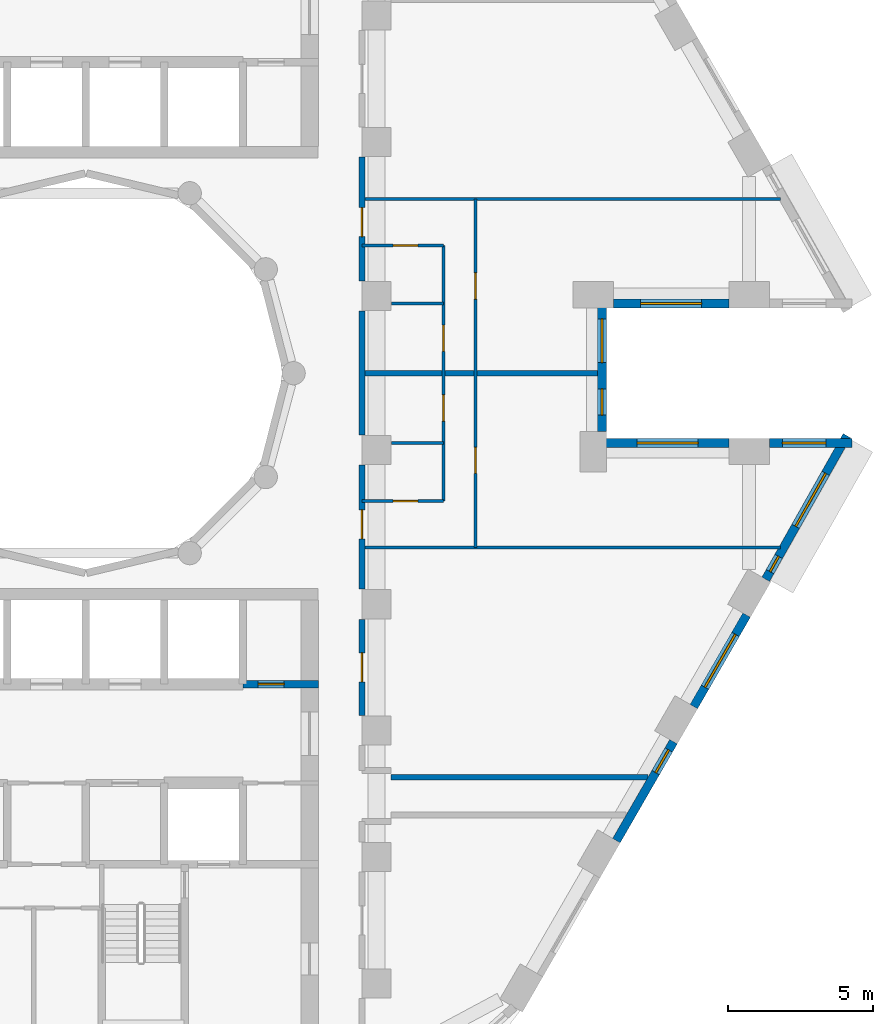
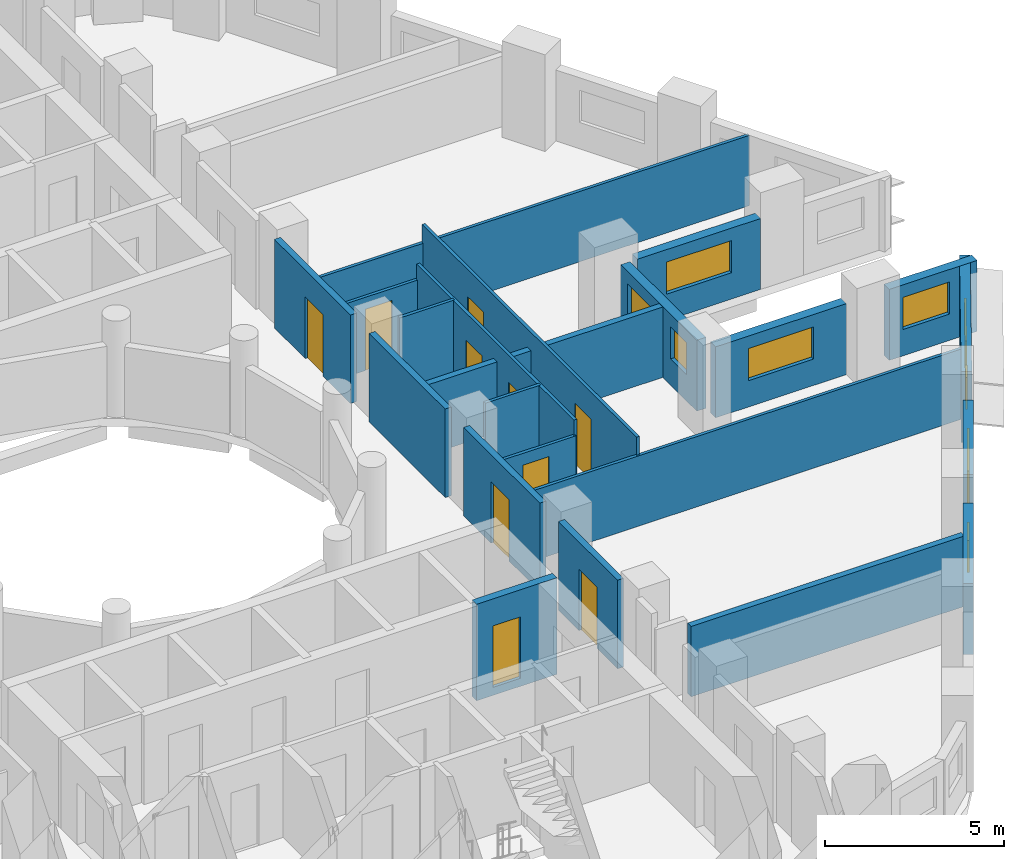
# One storey, part 6 of 12: 22 walls, 10 doors, 9 windows, 19 openings.
"""IFC4 building model written with IfcOpenShell, lengths in metres."""

from ifc_helpers import new_model, si_unit, direction, frame, frame_2d, origin, place, context, subcontext, project, spatial, rectangle, extrude, material, layer, layer_set, type_object, element, fill, save


model = new_model("IFC4")

# Units and contexts
model_context = context("Model", 3, precision=1e-05, world=origin(), true_north=direction((0.0, 1.0)))
body_context = subcontext(model_context, "Body", "Model", "MODEL_VIEW")
ifc_project = project(units=[si_unit("LENGTHUNIT", "METRE"), si_unit("AREAUNIT", "SQUARE_METRE"), si_unit("VOLUMEUNIT", "CUBIC_METRE"), si_unit("PLANEANGLEUNIT", "RADIAN"), si_unit("MASSUNIT", "GRAM", prefix="KILO")], contexts=[model_context])

# Site, building, storey
site_placement = place(None, origin())
site = spatial("IfcSite", under=ifc_project, at=site_placement, CompositionType="ELEMENT")
building_placement = place(site_placement, origin())
building = spatial("IfcBuilding", under=site, at=building_placement, Name="Nakaniwa Court", CompositionType="ELEMENT")
storey_placement = place(building_placement, frame((0.0, 0.0, 94.199951171875)))
storey = spatial("IfcBuildingStorey", under=building, at=storey_placement, Name="L24", CompositionType="ELEMENT", Elevation=94.199951171875)

# Wall, opening, door
ifc_material_1 = material(Name="Acoustic double stud partition")
ifc_layer_1 = layer(ifc_material_1, 0.199951171875)
ifc_layer_set_1 = layer_set([ifc_layer_1], Name="Acoustic double stud partition")
wall_type_1 = type_object("IfcWallType", Name="Acoustic double stud partition 200", PredefinedType="PARTITIONING", material=ifc_layer_set_1)
wall_1_placement = place(storey_placement, frame((89.5, 71.532958984375, 0.0), z_axis=(0.0, 0.0, 1.0), x_axis=(0.0, -1.0, 0.0)))
wall_1 = element("IfcWall", 1, at=wall_1_placement, inside=storey, type_object=wall_type_1, Name="Partition PW-073", PredefinedType="PARTITIONING", context=body_context, shape_type="SweptSolid", body=[
    extrude(rectangle(XDim=3.31591796875, YDim=0.199951171875, at=frame_2d((1.657958984375, 0.0))), origin(), (0.0, 0.0, 1.0), 3.025146484375),
])
opening_1_placement = place(wall_1_placement, frame((1.157958984375, 0.0, 0.0)))
opening_1 = element("IfcOpeningElement", 2, at=opening_1_placement, cuts=wall_1, Name="Opening D-02-02", PredefinedType="OPENING", context=body_context, shape_type="SweptSolid", body=[
    extrude(rectangle(XDim=1.0, YDim=2.10009765625, at=frame_2d((0.5, 1.050048828125))), frame((0.0, 0.10986328125, 0.0), z_axis=(0.0, -1.0, 0.0), x_axis=(1.0, 0.0, 0.0)), (0.0, 0.0, 1.0), 0.219970703125),
])
ifc_material_2 = material(Name="Solid core timber door set, black veneer", Category="wood")
door_type_1 = type_object("IfcDoorType", Name="Internal door 1000", OperationType="NOTDEFINED", PredefinedType="DOOR", material=ifc_material_2)
door_1_placement = place(opening_1_placement, origin())
door_1 = element("IfcDoor", 3, at=door_1_placement, inside=storey, type_object=door_type_1, Name="Door D-02-02 L24-028", OperationType="SINGLE_SWING_LEFT", OverallHeight=2.10009765625, OverallWidth=1.0, PredefinedType="DOOR", context=body_context, shape_type="SweptSolid", body=[
    extrude(rectangle(XDim=1.0, YDim=2.10009765625, at=frame_2d((0.5, 1.050048828125))), frame((0.0, 0.02490234375, 0.0), z_axis=(0.0, -1.0, 0.0), x_axis=(1.0, 0.0, 0.0)), (0.0, 0.0, 1.0), 0.050048828125),
])
fill(opening_1, door_1)

wall_2_placement = place(storey_placement, frame((89.5, 76.8330078125, 0.0), z_axis=(0.0, 0.0, 1.0), x_axis=(0.0, -1.0, 0.0)))
wall_2 = element("IfcWall", 4, at=wall_2_placement, inside=storey, type_object=wall_type_1, Name="Partition PW-074", PredefinedType="PARTITIONING", context=body_context, shape_type="SweptSolid", body=[
    extrude(rectangle(XDim=4.26611328125, YDim=0.199951171875, at=frame_2d((2.133056640625, 0.0))), origin(), (0.0, 0.0, 1.0), 3.025146484375),
])
opening_2_placement = place(wall_2_placement, frame((1.532958984375, 0.0, 0.0)))
opening_2 = element("IfcOpeningElement", 5, at=opening_2_placement, cuts=wall_2, Name="Opening D-01-01", PredefinedType="OPENING", context=body_context, shape_type="SweptSolid", body=[
    extrude(rectangle(XDim=1.0, YDim=2.10009765625, at=frame_2d((0.5, 1.050048828125))), frame((0.0, 0.10986328125, 0.0), z_axis=(0.0, -1.0, 0.0), x_axis=(1.0, 0.0, 0.0)), (0.0, 0.0, 1.0), 0.219970703125),
])
door_type_2 = type_object("IfcDoorType", Name="Flat entrance door 1000", OperationType="NOTDEFINED", PredefinedType="DOOR", material=ifc_material_2)
door_2_placement = place(opening_2_placement, origin())
door_2 = element("IfcDoor", 6, at=door_2_placement, inside=storey, type_object=door_type_2, Name="Door D-01-01 L24-029", OperationType="SINGLE_SWING_RIGHT", OverallHeight=2.10009765625, OverallWidth=1.0, PredefinedType="DOOR", context=body_context, shape_type="SweptSolid", body=[
    extrude(rectangle(XDim=1.0, YDim=2.10009765625, at=frame_2d((0.5, 1.050048828125))), frame((0.0, 0.02490234375, 0.0), z_axis=(0.0, -1.0, 0.0), x_axis=(1.0, 0.0, 0.0)), (0.0, 0.0, 1.0), 0.050048828125),
])
fill(opening_2, door_2)

# Wall
wall_3_placement = place(storey_placement, frame((89.5, 77.866943359375, 0.0), z_axis=(0.0, 0.0, 1.0), x_axis=(0.0, 1.0, 0.0)))
element("IfcWall", 7, at=wall_3_placement, inside=storey, type_object=wall_type_1, Name="Partition PW-075", PredefinedType="PARTITIONING", context=body_context, shape_type="SweptSolid", body=[
    extrude(rectangle(XDim=4.26611328125, YDim=0.199951171875, at=frame_2d((2.133056640625, 0.0))), origin(), (0.0, 0.0, 1.0), 3.025146484375),
])

# Wall, opening, door
wall_4_placement = place(storey_placement, frame((89.5, 87.43310546875, 0.0), z_axis=(0.0, 0.0, 1.0), x_axis=(0.0, -1.0, 0.0)))
wall_4 = element("IfcWall", 8, at=wall_4_placement, inside=storey, type_object=wall_type_1, Name="Partition PW-076", PredefinedType="PARTITIONING", context=body_context, shape_type="SweptSolid", body=[
    extrude(rectangle(XDim=4.26611328125, YDim=0.199951171875, at=frame_2d((2.133056640625, 0.0))), origin(), (0.0, 0.0, 1.0), 3.025146484375),
])
opening_3_placement = place(wall_4_placement, frame((1.73291015625, 0.0, 0.0)))
opening_3 = element("IfcOpeningElement", 9, at=opening_3_placement, cuts=wall_4, Name="Opening D-01-02", PredefinedType="OPENING", context=body_context, shape_type="SweptSolid", body=[
    extrude(rectangle(XDim=1.0, YDim=2.10009765625, at=frame_2d((0.5, 1.050048828125))), frame((0.0, 0.10986328125, 0.0), z_axis=(0.0, -1.0, 0.0), x_axis=(1.0, 0.0, 0.0)), (0.0, 0.0, 1.0), 0.219970703125),
])
door_3_placement = place(opening_3_placement, origin())
door_3 = element("IfcDoor", 10, at=door_3_placement, inside=storey, type_object=door_type_2, Name="Door D-01-02 L24-033", OperationType="SINGLE_SWING_RIGHT", OverallHeight=2.10009765625, OverallWidth=1.0, PredefinedType="DOOR", context=body_context, shape_type="SweptSolid", body=[
    extrude(rectangle(XDim=1.0, YDim=2.10009765625, at=frame_2d((0.5, 1.050048828125))), frame((0.0, 0.02490234375, 0.0), z_axis=(0.0, -1.0, 0.0), x_axis=(1.0, 0.0, 0.0)), (0.0, 0.0, 1.0), 0.050048828125),
])
fill(opening_3, door_3)

# Walls
wall_5_placement = place(storey_placement, frame((90.5, 66.10009765625, 0.0), z_axis=(0.0, 0.0, 1.0), x_axis=(1.0, 0.0, 0.0)))
element("IfcWall", 11, at=wall_5_placement, inside=storey, type_object=wall_type_1, Name="Partition PW-094", PredefinedType="PARTITIONING", context=body_context, shape_type="SweptSolid", body=[
    extrude(rectangle(XDim=8.84130859375, YDim=0.199951171875, at=frame_2d((4.420654296875, 0.0))), origin(), (0.0, 0.0, 1.0), 2.405029296875),
])
wall_6_placement = place(storey_placement, frame((89.5, 80.0, 0.0), z_axis=(0.0, 0.0, 1.0), x_axis=(1.0, 0.0, 0.0)))
element("IfcWall", 12, at=wall_6_placement, inside=storey, type_object=wall_type_1, Name="Partition PW-111", PredefinedType="PARTITIONING", context=body_context, shape_type="SweptSolid", body=[
    extrude(rectangle(XDim=8.1083984375, YDim=0.199951171875, at=frame_2d((4.05419921875, 0.0))), origin(), (0.0, 0.0, 1.0), 2.405029296875),
])

# Wall, opening, window
ifc_material_3 = material(Name="Charcoal ceramic cladding")
ifc_layer_2 = layer(ifc_material_3, 0.02, Name="Ceramic cladding")
ifc_material_4 = material(Name="Ventilated air cavity")
ifc_layer_3 = layer(ifc_material_4, 0.04, ventilated=True, Name="Ventilated cavity")
ifc_material_5 = material(Name="Mineral wool insulation")
ifc_layer_4 = layer(ifc_material_5, 0.1, Name="Insulation")
ifc_material_6 = material(Name="Cement bonded sheathing board")
ifc_layer_5 = layer(ifc_material_6, 0.012, Name="Sheathing")
ifc_material_7 = material(Name="Cold-formed galvanised stud frame with mineral wool infill")
ifc_layer_6 = layer(ifc_material_7, 0.1, Name="Stud frame")
ifc_material_8 = material(Name="Fire-rated gypsum plasterboard lining")
ifc_layer_7 = layer(ifc_material_8, 0.028, Name="Lining")
ifc_layer_set_2 = layer_set([ifc_layer_2, ifc_layer_3, ifc_layer_4, ifc_layer_5, ifc_layer_6, ifc_layer_7], Name="Charcoal ceramic faced external wall system")
wall_type_2 = type_object("IfcWallType", Name="Black ceramic faced external wall 300", PredefinedType="SOLIDWALL", material=ifc_layer_set_2)
wall_7_placement = place(storey_placement, frame((98.154296875, 82.39990234375, 0.0), z_axis=(0.0, 0.0, 1.0), x_axis=(1.0, 0.0, 0.0)))
wall_7 = element("IfcWall", 13, at=wall_7_placement, inside=storey, type_object=wall_type_2, Name="L24 external wall 00", PredefinedType="SOLIDWALL", context=body_context, shape_type="SweptSolid", body=[
    extrude(rectangle(XDim=3.97265625, YDim=0.300048828125, at=frame_2d((1.986328125, 0.0))), origin(), (0.0, 0.0, 1.0), 2.425048828125),
])
opening_4_placement = place(wall_7_placement, frame((0.936279296875, 0.0, 0.89990234375)))
opening_4 = element("IfcOpeningElement", 14, at=opening_4_placement, cuts=wall_7, Name="Opening W7.01", PredefinedType="OPENING", context=body_context, shape_type="SweptSolid", body=[
    extrude(rectangle(XDim=2.10009765625, YDim=1.10009765625, at=frame_2d((1.050048828125, 0.550048828125))), frame((0.0, 0.159912109375, 0.0), z_axis=(0.0, -1.0, 0.0), x_axis=(1.0, 0.0, 0.0)), (0.0, 0.0, 1.0), 0.320068359375),
])
ifc_material_9 = material(Name="Black anodised aluminium frame with dark low-E laminated double glazing", Category="aluminium")
window_type_1 = type_object("IfcWindowType", Name="Dark glass window 2100x1100 sill 900", PartitioningType="SINGLE_PANEL", PredefinedType="WINDOW", material=ifc_material_9)
window_1_placement = place(opening_4_placement, origin())
window_1 = element("IfcWindow", 15, at=window_1_placement, inside=storey, type_object=window_type_1, Name="L24 living window 00-0", OverallHeight=1.10009765625, OverallWidth=2.10009765625, PartitioningType="SINGLE_PANEL", PredefinedType="WINDOW", context=body_context, shape_type="SweptSolid", body=[
    extrude(rectangle(XDim=2.10009765625, YDim=1.10009765625, at=frame_2d((1.050048828125, 0.550048828125))), frame((0.0, 0.030029296875, 0.0), z_axis=(0.0, -1.0, 0.0), x_axis=(1.0, 0.0, 0.0)), (0.0, 0.0, 1.0), 0.06005859375),
])
fill(opening_4, window_1)

wall_8_placement = place(storey_placement, frame((98.25341796875, 63.91552734375, 0.0), z_axis=(0.0, 0.0, 1.0), x_axis=(0.499957037901, 0.866050206543, 0.0)))
wall_8 = element("IfcWall", 16, at=wall_8_placement, inside=storey, type_object=wall_type_2, Name="L24 external wall 30", PredefinedType="SOLIDWALL", context=body_context, shape_type="SweptSolid", body=[
    extrude(rectangle(XDim=3.933837890625, YDim=0.300048828125, at=frame_2d((1.966796875, 0.0))), origin(), (0.0, 0.0, 1.0), 2.425048828125),
])
opening_5_placement = place(wall_8_placement, frame((2.7041015625, 0.0, 0.89990234375)))
opening_5 = element("IfcOpeningElement", 17, at=opening_5_placement, cuts=wall_8, Name="Opening W9.34", PredefinedType="OPENING", context=body_context, shape_type="SweptSolid", body=[
    extrude(rectangle(XDim=0.89990234375, YDim=1.10009765625, at=frame_2d((0.449951171875, 0.550048828125))), frame((0.0, 0.159912109375, 0.0), z_axis=(0.0, -1.0, 0.0), x_axis=(1.0, 0.0, 0.0)), (0.0, 0.0, 1.0), 0.320068359375),
])
window_type_2 = type_object("IfcWindowType", Name="Dark glass window 900x1100 sill 900", PartitioningType="SINGLE_PANEL", PredefinedType="WINDOW", material=ifc_material_9)
window_2_placement = place(opening_5_placement, origin())
window_2 = element("IfcWindow", 18, at=window_2_placement, inside=storey, type_object=window_type_2, Name="L24 habitable room window 30-2", OverallHeight=1.10009765625, OverallWidth=0.89990234375, PartitioningType="SINGLE_PANEL", PredefinedType="WINDOW", context=body_context, shape_type="SweptSolid", body=[
    extrude(rectangle(XDim=0.89990234375, YDim=1.10009765625, at=frame_2d((0.449951171875, 0.550048828125))), frame((0.0, 0.030029296875, 0.0), z_axis=(0.0, -1.0, 0.0), x_axis=(1.0, 0.0, 0.0)), (0.0, 0.0, 1.0), 0.06005859375),
])
fill(opening_5, window_2)

wall_9_placement = place(storey_placement, frame((100.916259765625, 68.528076171875, 0.0), z_axis=(0.0, 0.0, 1.0), x_axis=(0.500009139881, 0.866020126807, 0.0)))
wall_9 = element("IfcWall", 19, at=wall_9_placement, inside=storey, type_object=wall_type_2, Name="L24 external wall 31", PredefinedType="SOLIDWALL", context=body_context, shape_type="SweptSolid", body=[
    extrude(rectangle(XDim=3.63671875, YDim=0.300048828125, at=frame_2d((1.818359375, 0.0))), origin(), (0.0, 0.0, 1.0), 2.425048828125),
])
opening_6_placement = place(wall_9_placement, frame((0.768310546875, 0.0, 0.89990234375)))
opening_6 = element("IfcOpeningElement", 20, at=opening_6_placement, cuts=wall_9, Name="Opening W7.35", PredefinedType="OPENING", context=body_context, shape_type="SweptSolid", body=[
    extrude(rectangle(XDim=2.10009765625, YDim=1.10009765625, at=frame_2d((1.050048828125, 0.550048828125))), frame((0.0, 0.159912109375, 0.0), z_axis=(0.0, -1.0, 0.0), x_axis=(1.0, 0.0, 0.0)), (0.0, 0.0, 1.0), 0.320068359375),
])
window_3_placement = place(opening_6_placement, origin())
window_3 = element("IfcWindow", 21, at=window_3_placement, inside=storey, type_object=window_type_1, Name="L24 habitable room window 31-0", OverallHeight=1.10009765625, OverallWidth=2.10009765625, PartitioningType="SINGLE_PANEL", PredefinedType="WINDOW", context=body_context, shape_type="SweptSolid", body=[
    extrude(rectangle(XDim=2.10009765625, YDim=1.10009765625, at=frame_2d((1.050048828125, 0.550048828125))), frame((0.0, 0.030029296875, 0.0), z_axis=(0.0, -1.0, 0.0), x_axis=(1.0, 0.0, 0.0)), (0.0, 0.0, 1.0), 0.06005859375),
])
fill(opening_6, window_3)

# Wall, openings, windows
wall_10_placement = place(storey_placement, frame((103.390625, 72.90625, 0.0), z_axis=(0.0, 0.0, 1.0), x_axis=(0.492456858874, 0.870336855561, 0.0)))
wall_10 = element("IfcWall", 22, at=wall_10_placement, inside=storey, type_object=wall_type_2, Name="L24 external wall 32", PredefinedType="SOLIDWALL", context=body_context, shape_type="SweptSolid", body=[
    extrude(rectangle(XDim=5.676513671875, YDim=0.300048828125, at=frame_2d((2.83837890625, 0.0))), origin(), (0.0, 0.0, 1.0), 2.425048828125),
])
opening_7_placement = place(wall_10_placement, frame((0.305419921875, 0.0, 0.89990234375)))
opening_7 = element("IfcOpeningElement", 23, at=opening_7_placement, cuts=wall_10, Name="Opening W8.36", PredefinedType="OPENING", context=body_context, shape_type="SweptSolid", body=[
    extrude(rectangle(XDim=0.60009765625, YDim=1.10009765625, at=frame_2d((0.300048828125, 0.550048828125))), frame((0.0, 0.159912109375, 0.0), z_axis=(0.0, -1.0, 0.0), x_axis=(1.0, 0.0, 0.0)), (0.0, 0.0, 1.0), 0.320068359375),
])
opening_8_placement = place(wall_10_placement, frame((2.092529296875, 0.0, 0.89990234375)))
opening_8 = element("IfcOpeningElement", 24, at=opening_8_placement, cuts=wall_10, Name="Opening W7.37", PredefinedType="OPENING", context=body_context, shape_type="SweptSolid", body=[
    extrude(rectangle(XDim=2.10009765625, YDim=1.10009765625, at=frame_2d((1.050048828125, 0.550048828125))), frame((0.0, 0.159912109375, 0.0), z_axis=(0.0, -1.0, 0.0), x_axis=(1.0, 0.0, 0.0)), (0.0, 0.0, 1.0), 0.320068359375),
])
window_4_placement = place(opening_8_placement, origin())
window_4 = element("IfcWindow", 25, at=window_4_placement, inside=storey, type_object=window_type_1, Name="L24 living window 32-1", OverallHeight=1.10009765625, OverallWidth=2.10009765625, PartitioningType="SINGLE_PANEL", PredefinedType="WINDOW", context=body_context, shape_type="SweptSolid", body=[
    extrude(rectangle(XDim=2.10009765625, YDim=1.10009765625, at=frame_2d((1.050048828125, 0.550048828125))), frame((0.0, 0.030029296875, 0.0), z_axis=(0.0, -1.0, 0.0), x_axis=(1.0, 0.0, 0.0)), (0.0, 0.0, 1.0), 0.06005859375),
])
fill(opening_8, window_4)
window_type_3 = type_object("IfcWindowType", Name="Dark glass window 600x1100 sill 900", PartitioningType="SINGLE_PANEL", PredefinedType="WINDOW", material=ifc_material_9)
window_5_placement = place(opening_7_placement, origin())
window_5 = element("IfcWindow", 26, at=window_5_placement, inside=storey, type_object=window_type_3, Name="L24 habitable room window 32-0", OverallHeight=1.10009765625, OverallWidth=0.60009765625, PartitioningType="SINGLE_PANEL", PredefinedType="WINDOW", context=body_context, shape_type="SweptSolid", body=[
    extrude(rectangle(XDim=0.60009765625, YDim=1.10009765625, at=frame_2d((0.300048828125, 0.550048828125))), frame((0.0, 0.030029296875, 0.0), z_axis=(0.0, -1.0, 0.0), x_axis=(1.0, 0.0, 0.0)), (0.0, 0.0, 1.0), 0.06005859375),
])
fill(opening_7, window_5)

# Wall, opening, window
wall_11_placement = place(storey_placement, frame((106.356689453125, 77.60009765625, 0.0), z_axis=(0.0, 0.0, 1.0), x_axis=(-1.0, 0.0, 0.0)))
wall_11 = element("IfcWall", 27, at=wall_11_placement, inside=storey, type_object=wall_type_2, Name="L24 external wall 33", PredefinedType="SOLIDWALL", context=body_context, shape_type="SweptSolid", body=[
    extrude(rectangle(XDim=2.837890625, YDim=0.300048828125, at=frame_2d((1.4189453125, 0.0))), origin(), (0.0, 0.0, 1.0), 2.425048828125),
])
opening_9_placement = place(wall_11_placement, frame((0.893798828125, 0.0, 0.89990234375)))
opening_9 = element("IfcOpeningElement", 28, at=opening_9_placement, cuts=wall_11, Name="Opening W5.38", PredefinedType="OPENING", context=body_context, shape_type="SweptSolid", body=[
    extrude(rectangle(XDim=1.5, YDim=1.10009765625, at=frame_2d((0.75, 0.550048828125))), frame((0.0, 0.159912109375, 0.0), z_axis=(0.0, -1.0, 0.0), x_axis=(1.0, 0.0, 0.0)), (0.0, 0.0, 1.0), 0.320068359375),
])
window_type_4 = type_object("IfcWindowType", Name="Dark glass window 1500x1100 sill 900", PartitioningType="SINGLE_PANEL", PredefinedType="WINDOW", material=ifc_material_9)
window_6_placement = place(opening_9_placement, origin())
window_6 = element("IfcWindow", 29, at=window_6_placement, inside=storey, type_object=window_type_4, Name="L24 living window 33-0", OverallHeight=1.10009765625, OverallWidth=1.5, PartitioningType="SINGLE_PANEL", PredefinedType="WINDOW", context=body_context, shape_type="SweptSolid", body=[
    extrude(rectangle(XDim=1.5, YDim=1.10009765625, at=frame_2d((0.75, 0.550048828125))), frame((0.0, 0.030029296875, 0.0), z_axis=(0.0, -1.0, 0.0), x_axis=(1.0, 0.0, 0.0)), (0.0, 0.0, 1.0), 0.06005859375),
])
fill(opening_9, window_6)

wall_12_placement = place(storey_placement, frame((102.126953125, 77.60009765625, 0.0), z_axis=(0.0, 0.0, 1.0), x_axis=(-1.0, 0.0, 0.0)))
wall_12 = element("IfcWall", 30, at=wall_12_placement, inside=storey, type_object=wall_type_2, Name="L24 external wall 34", PredefinedType="SOLIDWALL", context=body_context, shape_type="SweptSolid", body=[
    extrude(rectangle(XDim=4.22265625, YDim=0.300048828125, at=frame_2d((2.111328125, 0.0))), origin(), (0.0, 0.0, 1.0), 2.425048828125),
])
opening_10_placement = place(wall_12_placement, frame((1.061279296875, 0.0, 0.89990234375)))
opening_10 = element("IfcOpeningElement", 31, at=opening_10_placement, cuts=wall_12, Name="Opening W7.39", PredefinedType="OPENING", context=body_context, shape_type="SweptSolid", body=[
    extrude(rectangle(XDim=2.10009765625, YDim=1.10009765625, at=frame_2d((1.050048828125, 0.550048828125))), frame((0.0, 0.159912109375, 0.0), z_axis=(0.0, -1.0, 0.0), x_axis=(1.0, 0.0, 0.0)), (0.0, 0.0, 1.0), 0.320068359375),
])
window_7_placement = place(opening_10_placement, origin())
window_7 = element("IfcWindow", 32, at=window_7_placement, inside=storey, type_object=window_type_1, Name="L24 living window 34-0", OverallHeight=1.10009765625, OverallWidth=2.10009765625, PartitioningType="SINGLE_PANEL", PredefinedType="WINDOW", context=body_context, shape_type="SweptSolid", body=[
    extrude(rectangle(XDim=2.10009765625, YDim=1.10009765625, at=frame_2d((1.050048828125, 0.550048828125))), frame((0.0, 0.030029296875, 0.0), z_axis=(0.0, -1.0, 0.0), x_axis=(1.0, 0.0, 0.0)), (0.0, 0.0, 1.0), 0.06005859375),
])
fill(opening_10, window_7)

# Wall, openings, windows
wall_13_placement = place(storey_placement, frame((97.75830078125, 77.99609375, 0.0), z_axis=(0.0, 0.0, 1.0), x_axis=(0.0, 1.0, 0.0)))
wall_13 = element("IfcWall", 33, at=wall_13_placement, inside=storey, type_object=wall_type_2, Name="L24 external wall 35", PredefinedType="SOLIDWALL", context=body_context, shape_type="SweptSolid", body=[
    extrude(rectangle(XDim=4.2578125, YDim=0.300048828125, at=frame_2d((2.12890625, 0.0))), origin(), (0.0, 0.0, 1.0), 2.425048828125),
])
opening_11_placement = place(wall_13_placement, frame((0.56396484375, 0.0, 0.89990234375)))
opening_11 = element("IfcOpeningElement", 34, at=opening_11_placement, cuts=wall_13, Name="Opening W9.40", PredefinedType="OPENING", context=body_context, shape_type="SweptSolid", body=[
    extrude(rectangle(XDim=0.89990234375, YDim=1.10009765625, at=frame_2d((0.449951171875, 0.550048828125))), frame((0.0, 0.159912109375, 0.0), z_axis=(0.0, -1.0, 0.0), x_axis=(1.0, 0.0, 0.0)), (0.0, 0.0, 1.0), 0.320068359375),
])
opening_12_placement = place(wall_13_placement, frame((2.368896484375, 0.0, 0.89990234375)))
opening_12 = element("IfcOpeningElement", 35, at=opening_12_placement, cuts=wall_13, Name="Opening W5.41", PredefinedType="OPENING", context=body_context, shape_type="SweptSolid", body=[
    extrude(rectangle(XDim=1.5, YDim=1.10009765625, at=frame_2d((0.75, 0.550048828125))), frame((0.0, 0.159912109375, 0.0), z_axis=(0.0, -1.0, 0.0), x_axis=(1.0, 0.0, 0.0)), (0.0, 0.0, 1.0), 0.320068359375),
])
window_8_placement = place(opening_12_placement, origin())
window_8 = element("IfcWindow", 36, at=window_8_placement, inside=storey, type_object=window_type_4, Name="L24 living window 35-1", OverallHeight=1.10009765625, OverallWidth=1.5, PartitioningType="SINGLE_PANEL", PredefinedType="WINDOW", context=body_context, shape_type="SweptSolid", body=[
    extrude(rectangle(XDim=1.5, YDim=1.10009765625, at=frame_2d((0.75, 0.550048828125))), frame((0.0, 0.030029296875, 0.0), z_axis=(0.0, -1.0, 0.0), x_axis=(1.0, 0.0, 0.0)), (0.0, 0.0, 1.0), 0.06005859375),
])
fill(opening_12, window_8)
window_9_placement = place(opening_11_placement, origin())
window_9 = element("IfcWindow", 37, at=window_9_placement, inside=storey, type_object=window_type_2, Name="L24 living window 35-0", OverallHeight=1.10009765625, OverallWidth=0.89990234375, PartitioningType="SINGLE_PANEL", PredefinedType="WINDOW", context=body_context, shape_type="SweptSolid", body=[
    extrude(rectangle(XDim=0.89990234375, YDim=1.10009765625, at=frame_2d((0.449951171875, 0.550048828125))), frame((0.0, 0.030029296875, 0.0), z_axis=(0.0, -1.0, 0.0), x_axis=(1.0, 0.0, 0.0)), (0.0, 0.0, 1.0), 0.06005859375),
])
fill(opening_11, window_9)

# Wall, opening, door
ifc_material_10 = material(Name="Concrete C80/100", Category="concrete")
ifc_layer_8 = layer(ifc_material_10, 0.25)
ifc_layer_set_3 = layer_set([ifc_layer_8], Name="Concrete C80/100")
wall_type_3 = type_object("IfcWallType", Name="Concrete shaft wall 250 C80", PredefinedType="SHEAR", material=ifc_layer_set_3)
wall_14_placement = place(storey_placement, frame((85.39990234375, 69.300048828125, -0.27490234375), z_axis=(0.0, 0.0, 1.0), x_axis=(1.0, 0.0, 0.0)))
wall_14 = element("IfcWall", 38, at=wall_14_placement, inside=storey, type_object=wall_type_3, Name="Core wall SW-48", PredefinedType="SHEAR", context=body_context, shape_type="SweptSolid", body=[
    extrude(rectangle(XDim=2.60009765625, YDim=0.25, at=frame_2d((1.300048828125, 0.0))), origin(), (0.0, 0.0, 1.0), 3.300048828125),
])
opening_13_placement = place(wall_14_placement, frame((0.52490234375, 0.0, 0.27490234375)))
opening_13 = element("IfcOpeningElement", 39, at=opening_13_placement, cuts=wall_14, Name="Opening D-05-10", PredefinedType="OPENING", context=body_context, shape_type="SweptSolid", body=[
    extrude(rectangle(XDim=0.89990234375, YDim=2.10009765625, at=frame_2d((0.449951171875, 1.050048828125))), frame((0.0, 0.135009765625, 0.0), z_axis=(0.0, -1.0, 0.0), x_axis=(1.0, 0.0, 0.0)), (0.0, 0.0, 1.0), 0.27001953125),
])
ifc_material_11 = material(Name="Fire rated steel door set", Category="steel")
door_type_3 = type_object("IfcDoorType", Name="Service room door 900", OperationType="NOTDEFINED", PredefinedType="DOOR", material=ifc_material_11)
door_4_placement = place(opening_13_placement, origin())
door_4 = element("IfcDoor", 40, at=door_4_placement, inside=storey, type_object=door_type_3, Name="Door D-05-10 L24-015", OperationType="SINGLE_SWING_RIGHT", OverallHeight=2.10009765625, OverallWidth=0.89990234375, PredefinedType="DOOR", context=body_context, shape_type="SweptSolid", body=[
    extrude(rectangle(XDim=0.89990234375, YDim=2.10009765625, at=frame_2d((0.449951171875, 1.050048828125))), frame((0.0, 0.02490234375, 0.0), z_axis=(0.0, -1.0, 0.0), x_axis=(1.0, 0.0, 0.0)), (0.0, 0.0, 1.0), 0.050048828125),
])
fill(opening_13, door_4)

# Walls
ifc_material_12 = material(Name="Single stud plasterboard partition")
ifc_layer_9 = layer(ifc_material_12, 0.10009765625)
ifc_layer_set_4 = layer_set([ifc_layer_9], Name="Single stud plasterboard partition")
wall_type_4 = type_object("IfcWallType", Name="Single stud plasterboard partition 100", PredefinedType="PARTITIONING", material=ifc_layer_set_4)
wall_15_placement = place(storey_placement, frame((89.5, 74.0, 0.0), z_axis=(0.0, 0.0, 1.0), x_axis=(1.0, 0.0, 0.0)))
element("IfcWall", 41, at=wall_15_placement, inside=storey, type_object=wall_type_4, Name="Partition PW-107", PredefinedType="PARTITIONING", context=body_context, shape_type="SweptSolid", body=[
    extrude(rectangle(XDim=14.40234375, YDim=0.10009765625, at=frame_2d((7.201171875, 0.0))), origin(), (0.0, 0.0, 1.0), 2.405029296875),
])
wall_16_placement = place(storey_placement, frame((90.52001953125, 77.60009765625, 0.0), z_axis=(0.0, 0.0, 1.0), x_axis=(1.0, 0.0, 0.0)))
element("IfcWall", 42, at=wall_16_placement, inside=storey, type_object=wall_type_4, Name="Partition PW-108", PredefinedType="PARTITIONING", context=body_context, shape_type="SweptSolid", body=[
    extrude(rectangle(XDim=1.780029296875, YDim=0.10009765625, at=frame_2d((0.89013671875, 0.0))), origin(), (0.0, 0.0, 1.0), 3.025146484375),
])

# Wall, opening, door
wall_17_placement = place(storey_placement, frame((89.5, 75.60009765625, 0.0), z_axis=(0.0, 0.0, 1.0), x_axis=(1.0, 0.0, 0.0)))
wall_17 = element("IfcWall", 43, at=wall_17_placement, inside=storey, type_object=wall_type_4, Name="Partition PW-109", PredefinedType="PARTITIONING", context=body_context, shape_type="SweptSolid", body=[
    extrude(rectangle(XDim=2.800048828125, YDim=0.10009765625, at=frame_2d((1.39990234375, 0.0))), origin(), (0.0, 0.0, 1.0), 2.505126953125),
])
opening_14_placement = place(wall_17_placement, frame((1.074951171875, 0.0, 0.0)))
opening_14 = element("IfcOpeningElement", 44, at=opening_14_placement, cuts=wall_17, Name="Opening D-03-01", PredefinedType="OPENING", context=body_context, shape_type="SweptSolid", body=[
    extrude(rectangle(XDim=0.85009765625, YDim=2.10009765625, at=frame_2d((0.425048828125, 1.050048828125))), frame((0.0, 0.06005859375, 0.0), z_axis=(0.0, -1.0, 0.0), x_axis=(1.0, 0.0, 0.0)), (0.0, 0.0, 1.0), 0.1201171875),
])
ifc_material_13 = material(Name="Moisture sealed timber door set", Category="wood")
door_type_4 = type_object("IfcDoorType", Name="Bathroom door 850", OperationType="NOTDEFINED", PredefinedType="DOOR", material=ifc_material_13)
door_5_placement = place(opening_14_placement, origin())
door_5 = element("IfcDoor", 45, at=door_5_placement, inside=storey, type_object=door_type_4, Name="Door D-03-01 L24-030", OperationType="SINGLE_SWING_LEFT", OverallHeight=2.10009765625, OverallWidth=0.85009765625, PredefinedType="DOOR", context=body_context, shape_type="SweptSolid", body=[
    extrude(rectangle(XDim=0.85009765625, YDim=2.10009765625, at=frame_2d((0.425048828125, 1.050048828125))), frame((0.0, 0.02490234375, 0.0), z_axis=(0.0, -1.0, 0.0), x_axis=(1.0, 0.0, 0.0)), (0.0, 0.0, 1.0), 0.050048828125),
])
fill(opening_14, door_5)

# Wall, openings, doors
wall_18_placement = place(storey_placement, frame((92.300048828125, 75.60009765625, 0.0), z_axis=(0.0, 0.0, 1.0), x_axis=(0.0, 1.0, 0.0)))
wall_18 = element("IfcWall", 46, at=wall_18_placement, inside=storey, type_object=wall_type_4, Name="Partition PW-110", PredefinedType="PARTITIONING", context=body_context, shape_type="SweptSolid", body=[
    extrude(rectangle(XDim=8.7998046875, YDim=0.10009765625, at=frame_2d((4.39990234375, 0.0))), origin(), (0.0, 0.0, 1.0), 3.025146484375),
])
opening_15_placement = place(wall_18_placement, frame((2.75, 0.0, 0.0)))
opening_15 = element("IfcOpeningElement", 47, at=opening_15_placement, cuts=wall_18, Name="Opening D-33-01", PredefinedType="OPENING", context=body_context, shape_type="SweptSolid", body=[
    extrude(rectangle(XDim=0.89990234375, YDim=2.10009765625, at=frame_2d((0.449951171875, 1.050048828125))), frame((0.0, 0.06005859375, 0.0), z_axis=(0.0, -1.0, 0.0), x_axis=(1.0, 0.0, 0.0)), (0.0, 0.0, 1.0), 0.1201171875),
])
opening_16_placement = place(wall_18_placement, frame((5.14990234375, 0.0, 0.0)))
opening_16 = element("IfcOpeningElement", 48, at=opening_16_placement, cuts=wall_18, Name="Opening D-33-03", PredefinedType="OPENING", context=body_context, shape_type="SweptSolid", body=[
    extrude(rectangle(XDim=0.89990234375, YDim=2.10009765625, at=frame_2d((0.449951171875, 1.050048828125))), frame((0.0, 0.06005859375, 0.0), z_axis=(0.0, -1.0, 0.0), x_axis=(1.0, 0.0, 0.0)), (0.0, 0.0, 1.0), 0.1201171875),
])
door_type_5 = type_object("IfcDoorType", Name="Internal door 900", OperationType="NOTDEFINED", PredefinedType="DOOR", material=ifc_material_2)
door_6_placement = place(opening_15_placement, origin())
door_6 = element("IfcDoor", 49, at=door_6_placement, inside=storey, type_object=door_type_5, Name="Door D-33-01 L24-031", OperationType="SINGLE_SWING_RIGHT", OverallHeight=2.10009765625, OverallWidth=0.89990234375, PredefinedType="DOOR", context=body_context, shape_type="SweptSolid", body=[
    extrude(rectangle(XDim=0.89990234375, YDim=2.10009765625, at=frame_2d((0.449951171875, 1.050048828125))), frame((0.0, 0.02490234375, 0.0), z_axis=(0.0, -1.0, 0.0), x_axis=(1.0, 0.0, 0.0)), (0.0, 0.0, 1.0), 0.050048828125),
])
fill(opening_15, door_6)
door_7_placement = place(opening_16_placement, origin())
door_7 = element("IfcDoor", 50, at=door_7_placement, inside=storey, type_object=door_type_5, Name="Door D-33-03 L24-034", OperationType="SINGLE_SWING_LEFT", OverallHeight=2.10009765625, OverallWidth=0.89990234375, PredefinedType="DOOR", context=body_context, shape_type="SweptSolid", body=[
    extrude(rectangle(XDim=0.89990234375, YDim=2.10009765625, at=frame_2d((0.449951171875, 1.050048828125))), frame((0.0, 0.02490234375, 0.0), z_axis=(0.0, -1.0, 0.0), x_axis=(1.0, 0.0, 0.0)), (0.0, 0.0, 1.0), 0.050048828125),
])
fill(opening_16, door_7)

wall_19_placement = place(storey_placement, frame((93.39990234375, 86.0, 0.0), z_axis=(0.0, 0.0, 1.0), x_axis=(0.0, -1.0, 0.0)))
wall_19 = element("IfcWall", 51, at=wall_19_placement, inside=storey, type_object=wall_type_4, Name="Partition PW-112", PredefinedType="PARTITIONING", context=body_context, shape_type="SweptSolid", body=[
    extrude(rectangle(XDim=12.0, YDim=0.10009765625, at=frame_2d((6.0, 0.0))), origin(), (0.0, 0.0, 1.0), 3.025146484375),
])
opening_17_placement = place(wall_19_placement, frame((8.550048828125, 0.0, 0.0)))
opening_17 = element("IfcOpeningElement", 52, at=opening_17_placement, cuts=wall_19, Name="Opening D-33-02", PredefinedType="OPENING", context=body_context, shape_type="SweptSolid", body=[
    extrude(rectangle(XDim=0.89990234375, YDim=2.10009765625, at=frame_2d((0.449951171875, 1.050048828125))), frame((0.0, 0.06005859375, 0.0), z_axis=(0.0, -1.0, 0.0), x_axis=(1.0, 0.0, 0.0)), (0.0, 0.0, 1.0), 0.1201171875),
])
opening_18_placement = place(wall_19_placement, frame((2.550048828125, 0.0, 0.0)))
opening_18 = element("IfcOpeningElement", 53, at=opening_18_placement, cuts=wall_19, Name="Opening D-33-04", PredefinedType="OPENING", context=body_context, shape_type="SweptSolid", body=[
    extrude(rectangle(XDim=0.89990234375, YDim=2.10009765625, at=frame_2d((0.449951171875, 1.050048828125))), frame((0.0, 0.06005859375, 0.0), z_axis=(0.0, -1.0, 0.0), x_axis=(1.0, 0.0, 0.0)), (0.0, 0.0, 1.0), 0.1201171875),
])
door_8_placement = place(opening_17_placement, origin())
door_8 = element("IfcDoor", 54, at=door_8_placement, inside=storey, type_object=door_type_5, Name="Door D-33-02 L24-032", OperationType="SINGLE_SWING_LEFT", OverallHeight=2.10009765625, OverallWidth=0.89990234375, PredefinedType="DOOR", context=body_context, shape_type="SweptSolid", body=[
    extrude(rectangle(XDim=0.89990234375, YDim=2.10009765625, at=frame_2d((0.449951171875, 1.050048828125))), frame((0.0, 0.02490234375, 0.0), z_axis=(0.0, -1.0, 0.0), x_axis=(1.0, 0.0, 0.0)), (0.0, 0.0, 1.0), 0.050048828125),
])
fill(opening_17, door_8)
door_9_placement = place(opening_18_placement, origin())
door_9 = element("IfcDoor", 55, at=door_9_placement, inside=storey, type_object=door_type_5, Name="Door D-33-04 L24-036", OperationType="SINGLE_SWING_LEFT", OverallHeight=2.10009765625, OverallWidth=0.89990234375, PredefinedType="DOOR", context=body_context, shape_type="SweptSolid", body=[
    extrude(rectangle(XDim=0.89990234375, YDim=2.10009765625, at=frame_2d((0.449951171875, 1.050048828125))), frame((0.0, 0.02490234375, 0.0), z_axis=(0.0, -1.0, 0.0), x_axis=(1.0, 0.0, 0.0)), (0.0, 0.0, 1.0), 0.050048828125),
])
fill(opening_18, door_9)

# Wall
wall_20_placement = place(storey_placement, frame((90.52001953125, 82.39990234375, 0.0), z_axis=(0.0, 0.0, 1.0), x_axis=(1.0, 0.0, 0.0)))
element("IfcWall", 56, at=wall_20_placement, inside=storey, type_object=wall_type_4, Name="Partition PW-113", PredefinedType="PARTITIONING", context=body_context, shape_type="SweptSolid", body=[
    extrude(rectangle(XDim=1.780029296875, YDim=0.10009765625, at=frame_2d((0.89013671875, 0.0))), origin(), (0.0, 0.0, 1.0), 3.025146484375),
])

# Wall, opening, door
wall_21_placement = place(storey_placement, frame((92.300048828125, 84.39990234375, 0.0), z_axis=(0.0, 0.0, 1.0), x_axis=(-1.0, 0.0, 0.0)))
wall_21 = element("IfcWall", 57, at=wall_21_placement, inside=storey, type_object=wall_type_4, Name="Partition PW-114", PredefinedType="PARTITIONING", context=body_context, shape_type="SweptSolid", body=[
    extrude(rectangle(XDim=2.800048828125, YDim=0.10009765625, at=frame_2d((1.39990234375, 0.0))), origin(), (0.0, 0.0, 1.0), 2.505126953125),
])
opening_19_placement = place(wall_21_placement, frame((0.875, 0.0, 0.0)))
opening_19 = element("IfcOpeningElement", 58, at=opening_19_placement, cuts=wall_21, Name="Opening D-03-02", PredefinedType="OPENING", context=body_context, shape_type="SweptSolid", body=[
    extrude(rectangle(XDim=0.85009765625, YDim=2.10009765625, at=frame_2d((0.425048828125, 1.050048828125))), frame((0.0, 0.06005859375, 0.0), z_axis=(0.0, -1.0, 0.0), x_axis=(1.0, 0.0, 0.0)), (0.0, 0.0, 1.0), 0.1201171875),
])
door_10_placement = place(opening_19_placement, origin())
door_10 = element("IfcDoor", 59, at=door_10_placement, inside=storey, type_object=door_type_4, Name="Door D-03-02 L24-035", OperationType="SINGLE_SWING_RIGHT", OverallHeight=2.10009765625, OverallWidth=0.85009765625, PredefinedType="DOOR", context=body_context, shape_type="SweptSolid", body=[
    extrude(rectangle(XDim=0.85009765625, YDim=2.10009765625, at=frame_2d((0.425048828125, 1.050048828125))), frame((0.0, 0.02490234375, 0.0), z_axis=(0.0, -1.0, 0.0), x_axis=(1.0, 0.0, 0.0)), (0.0, 0.0, 1.0), 0.050048828125),
])
fill(opening_19, door_10)

# Wall
wall_22_placement = place(storey_placement, frame((89.5, 86.0, 0.0), z_axis=(0.0, 0.0, 1.0), x_axis=(1.0, 0.0, 0.0)))
element("IfcWall", 60, at=wall_22_placement, inside=storey, type_object=wall_type_4, Name="Partition PW-115", PredefinedType="PARTITIONING", context=body_context, shape_type="SweptSolid", body=[
    extrude(rectangle(XDim=14.40234375, YDim=0.10009765625, at=frame_2d((7.201171875, 0.0))), origin(), (0.0, 0.0, 1.0), 2.405029296875),
])

save(model, "model.ifc")
